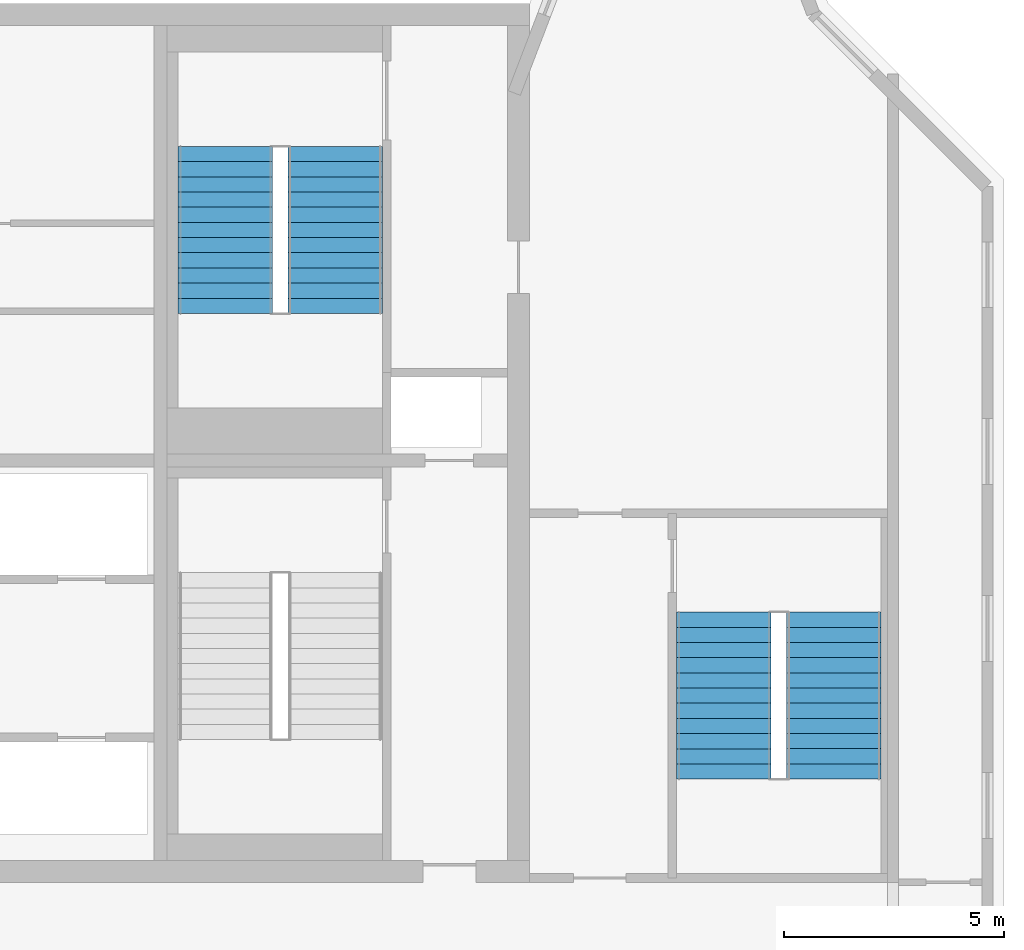
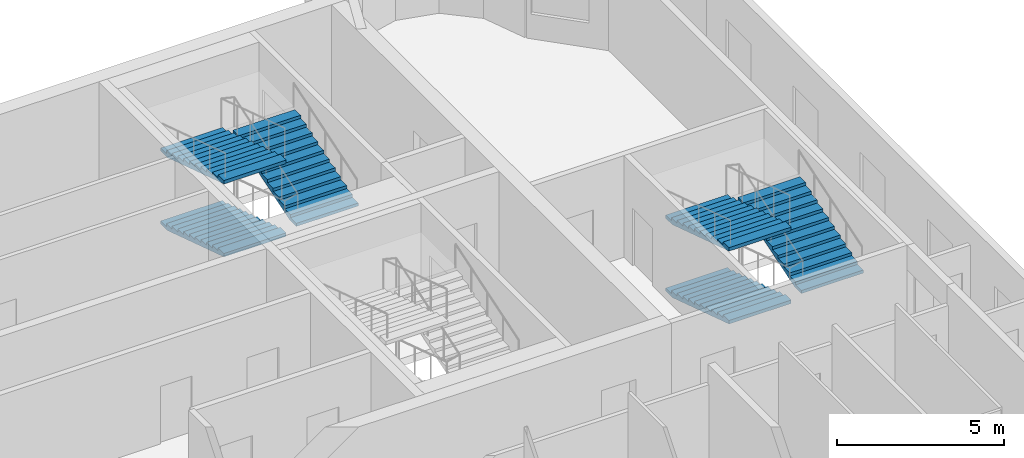
# One storey, part 9 of 12: 6 stair flights, 2 elements without a shape of their own.
"""IFC4 building model written with IfcOpenShell, lengths in metres."""

from ifc_helpers import new_model, si_unit, direction, frame, origin, place, context, subcontext, project, spatial, polyline, outline, extrude, source, transform, mapped, material, type_object, element, aggregate, save


model = new_model("IFC4")

# Units and contexts
model_context = context("Model", 3, precision=1e-05, world=origin(), true_north=direction((0.0, 1.0)))
body_context = subcontext(model_context, "Body", "Model", "MODEL_VIEW")
ifc_project = project(units=[si_unit("LENGTHUNIT", "METRE"), si_unit("AREAUNIT", "SQUARE_METRE"), si_unit("VOLUMEUNIT", "CUBIC_METRE"), si_unit("PLANEANGLEUNIT", "RADIAN"), si_unit("MASSUNIT", "GRAM", prefix="KILO")], contexts=[model_context])

# Site, building, storey
site_placement = place(None, origin())
site = spatial("IfcSite", under=ifc_project, at=site_placement, CompositionType="ELEMENT")
building_placement = place(site_placement, origin())
building = spatial("IfcBuilding", under=site, at=building_placement, Name="Vanashikhar Sky Hotel", CompositionType="ELEMENT")
storey_placement = place(building_placement, frame((0.0, 0.0, 309.699951171875)))
storey = spatial("IfcBuildingStorey", under=building, at=storey_placement, Name="L74", CompositionType="ELEMENT", Elevation=309.699951171875)

# Stair, stair flights
ifc_material = material(Name="Concrete M40", Category="concrete")
stair_type = type_object("IfcStairType", Name="Exit stair 2150", PredefinedType="DOUBLE_RETURN_STAIR", material=ifc_material)
stair_1_placement = place(storey_placement, origin())
stair_1 = element("IfcStair", 1, at=stair_1_placement, inside=storey, type_object=stair_type, Name="L74 Exit stair 4", PredefinedType="DOUBLE_RETURN_STAIR")
stair_flight_type = type_object("IfcStairFlightType", Name="Stair flight 2150", PredefinedType="STRAIGHT", material=ifc_material)
shared_shape = source(origin(), body_context, "Body", "SweptSolid", [
    extrude(outline(polyline([(0.0, 0.0), (0.0, 0.111083984375), (0.345458984375, 0.111083984375), (0.345458984375, 0.22216796875), (0.69091796875, 0.22216796875), (0.69091796875, 0.333251953125), (1.036376953125, 0.333251953125), (1.036376953125, 0.4443359375), (1.3818359375, 0.4443359375), (1.3818359375, 0.5556640625), (1.727294921875, 0.5556640625), (1.727294921875, 0.666748046875), (2.07275390625, 0.666748046875), (2.07275390625, 0.77783203125), (2.418212890625, 0.77783203125), (2.418212890625, 0.888916015625), (2.763671875, 0.888916015625), (2.763671875, 1.0), (3.109130859375, 1.0), (3.109130859375, 1.111083984375), (3.45458984375, 1.111083984375), (3.45458984375, 1.22216796875), (3.800048828125, 1.22216796875), (3.800048828125, 1.333251953125), (3.800048828125, 1.095947265625), (0.392333984375, 0.0), (0.0, 0.0)])), frame((0.0, 1.074951171875, 0.0), z_axis=(0.0, -1.0, 0.0), x_axis=(1.0, 0.0, 0.0)), (0.0, 0.0, 1.0), 2.14990234375),
])
stair_flight_1_placement = place(storey_placement, frame((80.02490234375, 28.14990234375, 0.0), z_axis=(0.0, 0.0, 1.0), x_axis=(0.0, -1.0, 0.0)))
stair_flight_1 = element("IfcStairFlight", 2, at=stair_flight_1_placement, type_object=stair_flight_type, Name="ST-E flight 1", NumberOfRisers=12, NumberOfTreads=11, PredefinedType="STRAIGHT", RiserHeight=0.111111111, TreadLength=0.345454545, context=body_context, shape_type="MappedRepresentation", body=[
    mapped(shared_shape, transform((0.0, 0.0, 0.0), scale=1.0)),
])
stair_flight_2_placement = place(storey_placement, frame((82.52490234375, 24.35009765625, 1.33349609375), z_axis=(0.0, 0.0, 1.0), x_axis=(0.0, 1.0, 0.0)))
stair_flight_2 = element("IfcStairFlight", 3, at=stair_flight_2_placement, type_object=stair_flight_type, Name="ST-E flight 2", NumberOfRisers=12, NumberOfTreads=11, PredefinedType="STRAIGHT", RiserHeight=0.111111111, TreadLength=0.345454545, context=body_context, shape_type="MappedRepresentation", body=[
    mapped(shared_shape, transform((0.0, 0.0, 0.0), scale=1.0)),
])
stair_flight_3_placement = place(storey_placement, frame((80.02490234375, 28.14990234375, 2.666748046875), z_axis=(0.0, 0.0, 1.0), x_axis=(0.0, -1.0, 0.0)))
stair_flight_3 = element("IfcStairFlight", 4, at=stair_flight_3_placement, type_object=stair_flight_type, Name="ST-E flight 3", NumberOfRisers=12, NumberOfTreads=11, PredefinedType="STRAIGHT", RiserHeight=0.111111111, TreadLength=0.345454545, context=body_context, shape_type="MappedRepresentation", body=[
    mapped(shared_shape, transform((0.0, 0.0, 0.0), scale=1.0)),
])
aggregate(stair_1, [stair_flight_1, stair_flight_2, stair_flight_3])

stair_2_placement = place(storey_placement, origin())
stair_2 = element("IfcStair", 5, at=stair_2_placement, inside=storey, type_object=stair_type, Name="L74 Exit stair 6", PredefinedType="DOUBLE_RETURN_STAIR")
stair_flight_4_placement = place(storey_placement, frame((68.675048828125, 38.75, 0.0), z_axis=(0.0, 0.0, 1.0), x_axis=(0.0, -1.0, 0.0)))
stair_flight_4 = element("IfcStairFlight", 6, at=stair_flight_4_placement, type_object=stair_flight_type, Name="ST-C4 flight 1", NumberOfRisers=12, NumberOfTreads=11, PredefinedType="STRAIGHT", RiserHeight=0.111111111, TreadLength=0.345454545, context=body_context, shape_type="MappedRepresentation", body=[
    mapped(shared_shape, transform((0.0, 0.0, 0.0), scale=1.0)),
])
stair_flight_5_placement = place(storey_placement, frame((71.175048828125, 34.949951171875, 1.33349609375), z_axis=(0.0, 0.0, 1.0), x_axis=(0.0, 1.0, 0.0)))
stair_flight_5 = element("IfcStairFlight", 7, at=stair_flight_5_placement, type_object=stair_flight_type, Name="ST-C4 flight 2", NumberOfRisers=12, NumberOfTreads=11, PredefinedType="STRAIGHT", RiserHeight=0.111111111, TreadLength=0.345454545, context=body_context, shape_type="MappedRepresentation", body=[
    mapped(shared_shape, transform((0.0, 0.0, 0.0), scale=1.0)),
])
stair_flight_6_placement = place(storey_placement, frame((68.675048828125, 38.75, 2.666748046875), z_axis=(0.0, 0.0, 1.0), x_axis=(0.0, -1.0, 0.0)))
stair_flight_6 = element("IfcStairFlight", 8, at=stair_flight_6_placement, type_object=stair_flight_type, Name="ST-C4 flight 3", NumberOfRisers=12, NumberOfTreads=11, PredefinedType="STRAIGHT", RiserHeight=0.111111111, TreadLength=0.345454545, context=body_context, shape_type="MappedRepresentation", body=[
    mapped(shared_shape, transform((0.0, 0.0, 0.0), scale=1.0)),
])
aggregate(stair_2, [stair_flight_4, stair_flight_5, stair_flight_6])

save(model, "model.ifc")
